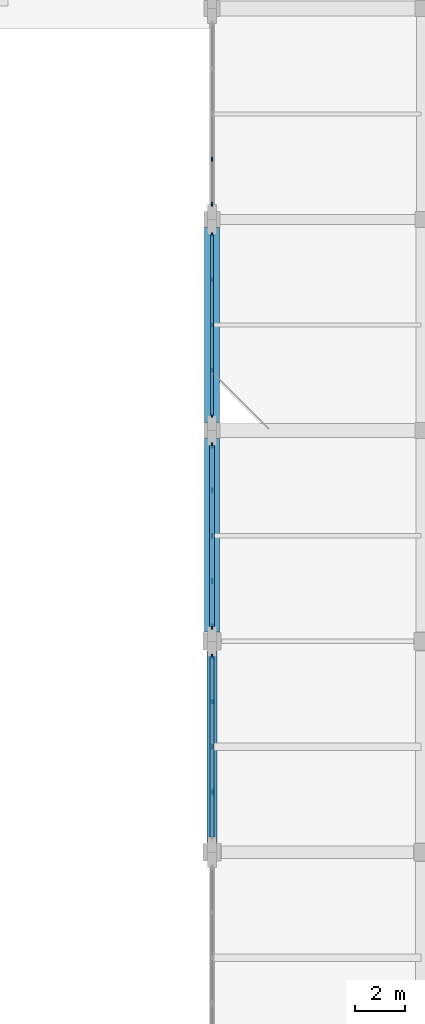
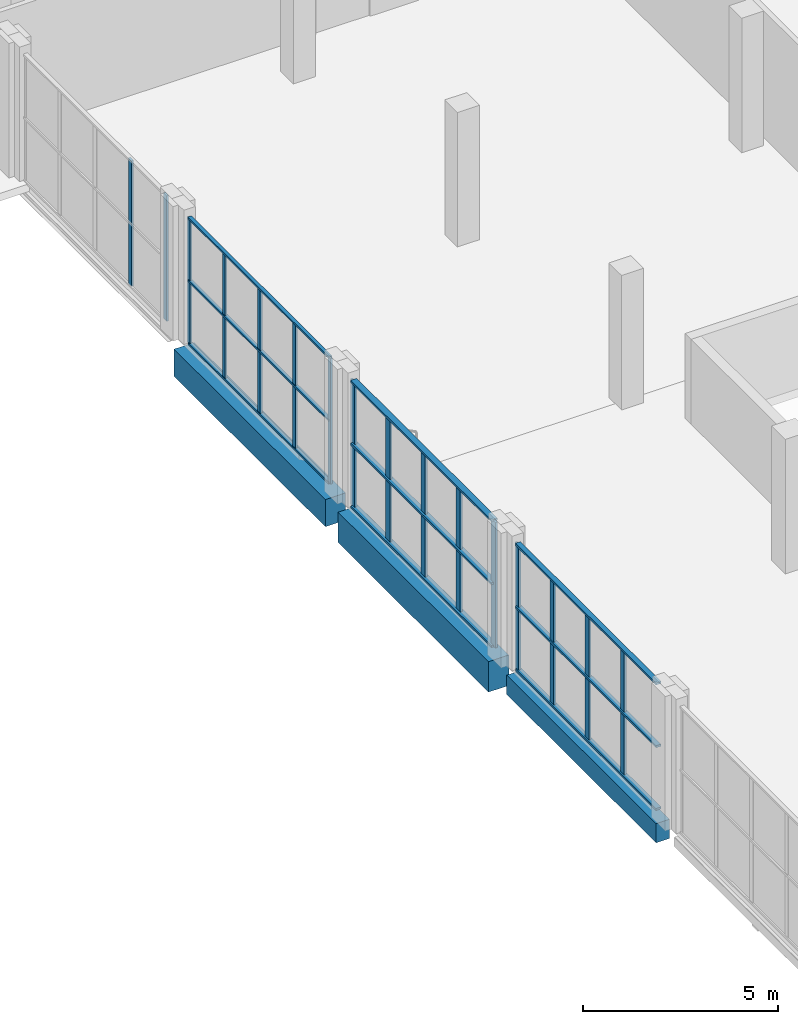
# One storey, part 30 of 59: 25 members, 3 beams, 4 elements without a shape of their own.
"""IFC4 building model written with IfcOpenShell, lengths in metres."""

from ifc_helpers import new_model, si_unit, derived_unit, direction, frame, origin, origin_2d, place, context, subcontext, project, spatial, rectangle, extrude, material, material_profile, profile_set, type_object, element, aggregate, save


model = new_model("IFC4")

# Units and contexts
model_context = context("Model", 3, precision=1e-05, world=origin(), true_north=direction((0.0, 1.0)))
body_context = subcontext(model_context, "Body", "Model", "MODEL_VIEW")
ifc_project = project(units=[si_unit("LENGTHUNIT", "METRE"), si_unit("AREAUNIT", "SQUARE_METRE"), si_unit("VOLUMEUNIT", "CUBIC_METRE"), si_unit("PLANEANGLEUNIT", "RADIAN"), si_unit("MASSUNIT", "GRAM", prefix="KILO"), derived_unit("THERMALTRANSMITTANCEUNIT", [(si_unit("POWERUNIT", "WATT"), 1), (si_unit("LENGTHUNIT", "METRE"), -2), (si_unit("THERMODYNAMICTEMPERATUREUNIT", "KELVIN"), -1)])], contexts=[model_context])

# Site, building, storey
site_placement = place(None, origin())
site = spatial("IfcSite", under=ifc_project, at=site_placement, CompositionType="ELEMENT")
building_placement = place(site_placement, origin())
building = spatial("IfcBuilding", under=site, at=building_placement, Name="Barrovel Congress Hotel", CompositionType="ELEMENT")
storey_placement = place(building_placement, frame((0.0, 0.0, 9.89990234375)))
storey = spatial("IfcBuildingStorey", under=building, at=storey_placement, Name="L02", CompositionType="ELEMENT", Elevation=9.89990234375)

# Beams
ifc_material_1 = material(Name="Concrete C40", Category="concrete")
ifc_material_profile_1 = material_profile(ifc_material_1, rectangle(XDim=0.39990234375, YDim=0.60009765625, at=origin_2d()), Name="RC400x600")
ifc_profile_set_1 = profile_set([ifc_material_profile_1], Name="Concrete C40")
beam_type_1 = type_object("IfcBeamType", Name="BM-RC400x600", PredefinedType="BEAM", material=ifc_profile_set_1)
beam_1_placement = place(storey_placement, frame((126.0, 63.375, -0.559814453125), z_axis=(0.0, 1.0, 0.0), x_axis=(-1.0, 0.0, 0.0)))
element("IfcBeam", 1, at=beam_1_placement, inside=storey, type_object=beam_type_1, Name="BMY:L02:126.0:63.0-71.4", PredefinedType="BEAM", context=body_context, shape_type="SweptSolid", body=[
    extrude(rectangle(XDim=0.39990234375, YDim=0.60009765625, at=origin_2d()), origin(), (0.0, 0.0, 1.0), 7.64990234375),
])
ifc_material_profile_2 = material_profile(ifc_material_1, rectangle(XDim=0.60009765625, YDim=0.85009765625, at=origin_2d()), Name="RC600x850")
ifc_profile_set_2 = profile_set([ifc_material_profile_2], Name="Concrete C40")
beam_type_2 = type_object("IfcBeamType", Name="BM-RC600x850", PredefinedType="BEAM", material=ifc_profile_set_2)
beam_2_placement = place(storey_placement, frame((126.0, 80.125, -0.684814453125), z_axis=(0.0, 1.0, 0.0), x_axis=(-1.0, 0.0, 0.0)))
element("IfcBeam", 2, at=beam_2_placement, inside=storey, type_object=beam_type_2, Name="BMY:L02:126.0:79.8-88.2", PredefinedType="BEAM", context=body_context, shape_type="SweptSolid", body=[
    extrude(rectangle(XDim=0.60009765625, YDim=0.85009765625, at=origin_2d()), origin(), (0.0, 0.0, 1.0), 7.75),
])
ifc_material_profile_3 = material_profile(ifc_material_1, rectangle(XDim=0.60009765625, YDim=0.949951171875, at=origin_2d()), Name="RC600x950")
ifc_profile_set_3 = profile_set([ifc_material_profile_3], Name="Concrete C40")
beam_type_3 = type_object("IfcBeamType", Name="BM-RC600x950", PredefinedType="BEAM", material=ifc_profile_set_3)
beam_3_placement = place(storey_placement, frame((126.0, 71.77490234375, -0.73486328125), z_axis=(0.0, 1.0, 0.0), x_axis=(-1.0, 0.0, 0.0)))
element("IfcBeam", 3, at=beam_3_placement, inside=storey, type_object=beam_type_3, Name="BMY:L02:126.0:71.4-79.8", PredefinedType="BEAM", context=body_context, shape_type="SweptSolid", body=[
    extrude(rectangle(XDim=0.60009765625, YDim=0.949951171875, at=origin_2d()), origin(), (0.0, 0.0, 1.0), 7.7001953125),
])

# Curtain wall, members
ifc_material_2 = material(Name="Anodised Aluminium Alloy 6063-T6", Category="aluminium")
curtain_wall_type = type_object("IfcCurtainWallType", Name="CW-ST-7200x3600", PredefinedType="USERDEFINED", material=ifc_material_2)
curtain_wall_1_placement = place(storey_placement, origin())
curtain_wall_1 = element("IfcCurtainWall", 4, at=curtain_wall_1_placement, inside=storey, type_object=curtain_wall_type, Name="CW:L02:CE:79.8", ObjectType="STICK CURTAIN WALL", PredefinedType="USERDEFINED")
ifc_material_profile_4 = material_profile(ifc_material_2, rectangle(XDim=0.06005859375, YDim=0.139892578125, at=origin_2d()), Name="AL-M60x140")
ifc_profile_set_4 = profile_set([ifc_material_profile_4], Name="Anodised Aluminium Alloy 6063-T6")
member_type_1 = type_object("IfcMemberType", Name="CWM-AL-M60x140", PredefinedType="MULLION", material=ifc_profile_set_4)
member_1_placement = place(storey_placement, frame((126.0, 87.60009765625, 0.0), z_axis=(0.0, 0.0, 1.0), x_axis=(1.0, 0.0, 0.0)))
member_1 = element("IfcMember", 5, at=member_1_placement, type_object=member_type_1, Name="CW:L02:CE:79.8:M0", PredefinedType="MULLION", context=body_context, shape_type="SweptSolid", body=[
    extrude(rectangle(XDim=0.06005859375, YDim=0.139892578125, at=origin_2d()), origin(), (0.0, 0.0, 1.0), 3.920166015625),
])
member_2_placement = place(storey_placement, frame((126.0, 85.800048828125, 0.0), z_axis=(0.0, 0.0, 1.0), x_axis=(1.0, 0.0, 0.0)))
member_2 = element("IfcMember", 6, at=member_2_placement, type_object=member_type_1, Name="CW:L02:CE:79.8:M1", PredefinedType="MULLION", context=body_context, shape_type="SweptSolid", body=[
    extrude(rectangle(XDim=0.06005859375, YDim=0.139892578125, at=origin_2d()), origin(), (0.0, 0.0, 1.0), 3.920166015625),
])
member_3_placement = place(storey_placement, frame((126.0, 84.0, 0.0), z_axis=(0.0, 0.0, 1.0), x_axis=(1.0, 0.0, 0.0)))
member_3 = element("IfcMember", 7, at=member_3_placement, type_object=member_type_1, Name="CW:L02:CE:79.8:M2", PredefinedType="MULLION", context=body_context, shape_type="SweptSolid", body=[
    extrude(rectangle(XDim=0.06005859375, YDim=0.139892578125, at=origin_2d()), origin(), (0.0, 0.0, 1.0), 3.920166015625),
])
member_4_placement = place(storey_placement, frame((126.0, 82.199951171875, 0.0), z_axis=(0.0, 0.0, 1.0), x_axis=(1.0, 0.0, 0.0)))
member_4 = element("IfcMember", 8, at=member_4_placement, type_object=member_type_1, Name="CW:L02:CE:79.8:M3", PredefinedType="MULLION", context=body_context, shape_type="SweptSolid", body=[
    extrude(rectangle(XDim=0.06005859375, YDim=0.139892578125, at=origin_2d()), origin(), (0.0, 0.0, 1.0), 3.920166015625),
])
member_5_placement = place(storey_placement, frame((126.0, 80.39990234375, 0.0), z_axis=(0.0, 0.0, 1.0), x_axis=(1.0, 0.0, 0.0)))
member_5 = element("IfcMember", 9, at=member_5_placement, type_object=member_type_1, Name="CW:L02:CE:79.8:M4", PredefinedType="MULLION", context=body_context, shape_type="SweptSolid", body=[
    extrude(rectangle(XDim=0.06005859375, YDim=0.139892578125, at=origin_2d()), origin(), (0.0, 0.0, 1.0), 3.920166015625),
])

curtain_wall_2_placement = place(storey_placement, origin())
curtain_wall_2 = element("IfcCurtainWall", 10, at=curtain_wall_2_placement, inside=storey, type_object=curtain_wall_type, Name="CW:L02:CE:88.2", ObjectType="STICK CURTAIN WALL", PredefinedType="USERDEFINED")
ifc_material_profile_5 = material_profile(ifc_material_2, rectangle(XDim=0.06005859375, YDim=0.1650390625, at=origin_2d()), Name="AL-M60x165")
ifc_profile_set_5 = profile_set([ifc_material_profile_5], Name="Anodised Aluminium Alloy 6063-T6")
member_type_2 = type_object("IfcMemberType", Name="CWM-AL-M60x165", PredefinedType="MULLION", material=ifc_profile_set_5)
member_6_placement = place(storey_placement, frame((126.0, 90.60009765625, 0.0), z_axis=(0.0, 0.0, 1.0), x_axis=(1.0, 0.0, 0.0)))
member_6 = element("IfcMember", 11, at=member_6_placement, type_object=member_type_2, Name="CW:L02:CE:88.2:M3", PredefinedType="MULLION", context=body_context, shape_type="SweptSolid", body=[
    extrude(rectangle(XDim=0.06005859375, YDim=0.1650390625, at=origin_2d()), origin(), (0.0, 0.0, 1.0), 3.920166015625),
])
member_7_placement = place(storey_placement, frame((126.0, 88.800048828125, 0.0), z_axis=(0.0, 0.0, 1.0), x_axis=(1.0, 0.0, 0.0)))
member_7 = element("IfcMember", 12, at=member_7_placement, type_object=member_type_2, Name="CW:L02:CE:88.2:M4", PredefinedType="MULLION", context=body_context, shape_type="SweptSolid", body=[
    extrude(rectangle(XDim=0.06005859375, YDim=0.1650390625, at=origin_2d()), origin(), (0.0, 0.0, 1.0), 3.920166015625),
])
aggregate(curtain_wall_2, [member_6, member_7])

curtain_wall_3_placement = place(storey_placement, origin())
curtain_wall_3 = element("IfcCurtainWall", 13, at=curtain_wall_3_placement, inside=storey, type_object=curtain_wall_type, Name="CW:L02:CE:63.0", ObjectType="STICK CURTAIN WALL", PredefinedType="USERDEFINED")
ifc_material_profile_6 = material_profile(ifc_material_2, rectangle(XDim=0.06494140625, YDim=0.18994140625, at=origin_2d()), Name="AL-M65x190")
ifc_profile_set_6 = profile_set([ifc_material_profile_6], Name="Anodised Aluminium Alloy 6063-T6")
member_type_3 = type_object("IfcMemberType", Name="CWM-AL-M65x190", PredefinedType="MULLION", material=ifc_profile_set_6)
member_8_placement = place(storey_placement, frame((126.0, 70.800048828125, 0.0), z_axis=(0.0, 0.0, 1.0), x_axis=(1.0, 0.0, 0.0)))
member_8 = element("IfcMember", 14, at=member_8_placement, type_object=member_type_3, Name="CW:L02:CE:63.0:M0", PredefinedType="MULLION", context=body_context, shape_type="SweptSolid", body=[
    extrude(rectangle(XDim=0.06494140625, YDim=0.18994140625, at=origin_2d()), origin(), (0.0, 0.0, 1.0), 3.920166015625),
])
member_9_placement = place(storey_placement, frame((126.0, 69.0, 0.0), z_axis=(0.0, 0.0, 1.0), x_axis=(1.0, 0.0, 0.0)))
member_9 = element("IfcMember", 15, at=member_9_placement, type_object=member_type_3, Name="CW:L02:CE:63.0:M1", PredefinedType="MULLION", context=body_context, shape_type="SweptSolid", body=[
    extrude(rectangle(XDim=0.06494140625, YDim=0.18994140625, at=origin_2d()), origin(), (0.0, 0.0, 1.0), 3.920166015625),
])
member_10_placement = place(storey_placement, frame((126.0, 67.199951171875, 0.0), z_axis=(0.0, 0.0, 1.0), x_axis=(1.0, 0.0, 0.0)))
member_10 = element("IfcMember", 16, at=member_10_placement, type_object=member_type_3, Name="CW:L02:CE:63.0:M2", PredefinedType="MULLION", context=body_context, shape_type="SweptSolid", body=[
    extrude(rectangle(XDim=0.06494140625, YDim=0.18994140625, at=origin_2d()), origin(), (0.0, 0.0, 1.0), 3.920166015625),
])
member_11_placement = place(storey_placement, frame((126.0, 65.39990234375, 0.0), z_axis=(0.0, 0.0, 1.0), x_axis=(1.0, 0.0, 0.0)))
member_11 = element("IfcMember", 17, at=member_11_placement, type_object=member_type_3, Name="CW:L02:CE:63.0:M3", PredefinedType="MULLION", context=body_context, shape_type="SweptSolid", body=[
    extrude(rectangle(XDim=0.06494140625, YDim=0.18994140625, at=origin_2d()), origin(), (0.0, 0.0, 1.0), 3.920166015625),
])

curtain_wall_4_placement = place(storey_placement, origin())
curtain_wall_4 = element("IfcCurtainWall", 18, at=curtain_wall_4_placement, inside=storey, type_object=curtain_wall_type, Name="CW:L02:CE:71.4", ObjectType="STICK CURTAIN WALL", PredefinedType="USERDEFINED")
ifc_material_profile_7 = material_profile(ifc_material_2, rectangle(XDim=0.06494140625, YDim=0.219970703125, at=origin_2d()), Name="AL-M65x220")
ifc_profile_set_7 = profile_set([ifc_material_profile_7], Name="Anodised Aluminium Alloy 6063-T6")
member_type_4 = type_object("IfcMemberType", Name="CWM-AL-M65x220", PredefinedType="MULLION", material=ifc_profile_set_7)
member_12_placement = place(storey_placement, frame((126.0, 79.199951171875, 0.0), z_axis=(0.0, 0.0, 1.0), x_axis=(1.0, 0.0, 0.0)))
member_12 = element("IfcMember", 19, at=member_12_placement, type_object=member_type_4, Name="CW:L02:CE:71.4:M0", PredefinedType="MULLION", context=body_context, shape_type="SweptSolid", body=[
    extrude(rectangle(XDim=0.06494140625, YDim=0.219970703125, at=origin_2d()), origin(), (0.0, 0.0, 1.0), 3.920166015625),
])
member_13_placement = place(storey_placement, frame((126.0, 77.39990234375, 0.0), z_axis=(0.0, 0.0, 1.0), x_axis=(1.0, 0.0, 0.0)))
member_13 = element("IfcMember", 20, at=member_13_placement, type_object=member_type_4, Name="CW:L02:CE:71.4:M1", PredefinedType="MULLION", context=body_context, shape_type="SweptSolid", body=[
    extrude(rectangle(XDim=0.06494140625, YDim=0.219970703125, at=origin_2d()), origin(), (0.0, 0.0, 1.0), 3.920166015625),
])
member_14_placement = place(storey_placement, frame((126.0, 75.60009765625, 0.0), z_axis=(0.0, 0.0, 1.0), x_axis=(1.0, 0.0, 0.0)))
member_14 = element("IfcMember", 21, at=member_14_placement, type_object=member_type_4, Name="CW:L02:CE:71.4:M2", PredefinedType="MULLION", context=body_context, shape_type="SweptSolid", body=[
    extrude(rectangle(XDim=0.06494140625, YDim=0.219970703125, at=origin_2d()), origin(), (0.0, 0.0, 1.0), 3.920166015625),
])
member_15_placement = place(storey_placement, frame((126.0, 73.800048828125, 0.0), z_axis=(0.0, 0.0, 1.0), x_axis=(1.0, 0.0, 0.0)))
member_15 = element("IfcMember", 22, at=member_15_placement, type_object=member_type_4, Name="CW:L02:CE:71.4:M3", PredefinedType="MULLION", context=body_context, shape_type="SweptSolid", body=[
    extrude(rectangle(XDim=0.06494140625, YDim=0.219970703125, at=origin_2d()), origin(), (0.0, 0.0, 1.0), 3.920166015625),
])
member_16_placement = place(storey_placement, frame((126.0, 72.0, 0.0), z_axis=(0.0, 0.0, 1.0), x_axis=(1.0, 0.0, 0.0)))
member_16 = element("IfcMember", 23, at=member_16_placement, type_object=member_type_4, Name="CW:L02:CE:71.4:M4", PredefinedType="MULLION", context=body_context, shape_type="SweptSolid", body=[
    extrude(rectangle(XDim=0.06494140625, YDim=0.219970703125, at=origin_2d()), origin(), (0.0, 0.0, 1.0), 3.920166015625),
])

# Member
ifc_material_profile_8 = material_profile(ifc_material_2, rectangle(XDim=0.10498046875, YDim=0.06005859375, at=origin_2d()), Name="AL-T60x105")
ifc_profile_set_8 = profile_set([ifc_material_profile_8], Name="Anodised Aluminium Alloy 6063-T6")
member_type_5 = type_object("IfcMemberType", Name="CWT-AL-T60x105", PredefinedType="USERDEFINED", material=ifc_profile_set_8)
member_17_placement = place(storey_placement, frame((126.0, 87.60009765625, 0.0), z_axis=(0.0, -1.0, 0.0), x_axis=(1.0, 0.0, 0.0)))
member_17 = element("IfcMember", 24, at=member_17_placement, type_object=member_type_5, Name="CW:L02:CE:79.8:T0", ObjectType="TRANSOM", PredefinedType="USERDEFINED", context=body_context, shape_type="SweptSolid", body=[
    extrude(rectangle(XDim=0.10498046875, YDim=0.06005859375, at=origin_2d()), origin(), (0.0, 0.0, 1.0), 7.2001953125),
])

member_18_placement = place(storey_placement, frame((126.0, 87.60009765625, 1.960205078125), z_axis=(0.0, -1.0, 0.0), x_axis=(1.0, 0.0, 0.0)))
member_18 = element("IfcMember", 25, at=member_18_placement, type_object=member_type_5, Name="CW:L02:CE:79.8:T1", ObjectType="TRANSOM", PredefinedType="USERDEFINED", context=body_context, shape_type="SweptSolid", body=[
    extrude(rectangle(XDim=0.10498046875, YDim=0.06005859375, at=origin_2d()), origin(), (0.0, 0.0, 1.0), 7.2001953125),
])

member_19_placement = place(storey_placement, frame((126.0, 87.60009765625, 3.920166015625), z_axis=(0.0, -1.0, 0.0), x_axis=(1.0, 0.0, 0.0)))
member_19 = element("IfcMember", 26, at=member_19_placement, type_object=member_type_5, Name="CW:L02:CE:79.8:T2", ObjectType="TRANSOM", PredefinedType="USERDEFINED", context=body_context, shape_type="SweptSolid", body=[
    extrude(rectangle(XDim=0.10498046875, YDim=0.06005859375, at=origin_2d()), origin(), (0.0, 0.0, 1.0), 7.2001953125),
])

aggregate(curtain_wall_1, [member_1, member_2, member_3, member_4, member_5, member_17, member_18, member_19])

ifc_material_profile_9 = material_profile(ifc_material_2, rectangle(XDim=0.14990234375, YDim=0.06494140625, at=origin_2d()), Name="AL-T65x150")
ifc_profile_set_9 = profile_set([ifc_material_profile_9], Name="Anodised Aluminium Alloy 6063-T6")
member_type_6 = type_object("IfcMemberType", Name="CWT-AL-T65x150", PredefinedType="USERDEFINED", material=ifc_profile_set_9)
member_20_placement = place(storey_placement, frame((126.0, 70.800048828125, 0.0), z_axis=(0.0, -1.0, 0.0), x_axis=(1.0, 0.0, 0.0)))
member_20 = element("IfcMember", 27, at=member_20_placement, type_object=member_type_6, Name="CW:L02:CE:63.0:T0", ObjectType="TRANSOM", PredefinedType="USERDEFINED", context=body_context, shape_type="SweptSolid", body=[
    extrude(rectangle(XDim=0.14990234375, YDim=0.06494140625, at=origin_2d()), origin(), (0.0, 0.0, 1.0), 7.199951171875),
])

member_21_placement = place(storey_placement, frame((126.0, 70.800048828125, 1.960205078125), z_axis=(0.0, -1.0, 0.0), x_axis=(1.0, 0.0, 0.0)))
member_21 = element("IfcMember", 28, at=member_21_placement, type_object=member_type_6, Name="CW:L02:CE:63.0:T1", ObjectType="TRANSOM", PredefinedType="USERDEFINED", context=body_context, shape_type="SweptSolid", body=[
    extrude(rectangle(XDim=0.14990234375, YDim=0.06494140625, at=origin_2d()), origin(), (0.0, 0.0, 1.0), 7.199951171875),
])

member_22_placement = place(storey_placement, frame((126.0, 70.800048828125, 3.920166015625), z_axis=(0.0, -1.0, 0.0), x_axis=(1.0, 0.0, 0.0)))
member_22 = element("IfcMember", 29, at=member_22_placement, type_object=member_type_6, Name="CW:L02:CE:63.0:T2", ObjectType="TRANSOM", PredefinedType="USERDEFINED", context=body_context, shape_type="SweptSolid", body=[
    extrude(rectangle(XDim=0.14990234375, YDim=0.06494140625, at=origin_2d()), origin(), (0.0, 0.0, 1.0), 7.199951171875),
])

aggregate(curtain_wall_3, [member_8, member_9, member_10, member_11, member_20, member_21, member_22])

ifc_material_profile_10 = material_profile(ifc_material_2, rectangle(XDim=0.179931640625, YDim=0.06494140625, at=origin_2d()), Name="AL-T65x180")
ifc_profile_set_10 = profile_set([ifc_material_profile_10], Name="Anodised Aluminium Alloy 6063-T6")
member_type_7 = type_object("IfcMemberType", Name="CWT-AL-T65x180", PredefinedType="USERDEFINED", material=ifc_profile_set_10)
member_23_placement = place(storey_placement, frame((126.0, 79.199951171875, 0.0), z_axis=(0.0, -1.0, 0.0), x_axis=(1.0, 0.0, 0.0)))
member_23 = element("IfcMember", 30, at=member_23_placement, type_object=member_type_7, Name="CW:L02:CE:71.4:T0", ObjectType="TRANSOM", PredefinedType="USERDEFINED", context=body_context, shape_type="SweptSolid", body=[
    extrude(rectangle(XDim=0.179931640625, YDim=0.06494140625, at=origin_2d()), origin(), (0.0, 0.0, 1.0), 7.199951171875),
])

member_24_placement = place(storey_placement, frame((126.0, 79.199951171875, 1.960205078125), z_axis=(0.0, -1.0, 0.0), x_axis=(1.0, 0.0, 0.0)))
member_24 = element("IfcMember", 31, at=member_24_placement, type_object=member_type_7, Name="CW:L02:CE:71.4:T1", ObjectType="TRANSOM", PredefinedType="USERDEFINED", context=body_context, shape_type="SweptSolid", body=[
    extrude(rectangle(XDim=0.179931640625, YDim=0.06494140625, at=origin_2d()), origin(), (0.0, 0.0, 1.0), 7.199951171875),
])

member_25_placement = place(storey_placement, frame((126.0, 79.199951171875, 3.920166015625), z_axis=(0.0, -1.0, 0.0), x_axis=(1.0, 0.0, 0.0)))
member_25 = element("IfcMember", 32, at=member_25_placement, type_object=member_type_7, Name="CW:L02:CE:71.4:T2", ObjectType="TRANSOM", PredefinedType="USERDEFINED", context=body_context, shape_type="SweptSolid", body=[
    extrude(rectangle(XDim=0.179931640625, YDim=0.06494140625, at=origin_2d()), origin(), (0.0, 0.0, 1.0), 7.199951171875),
])

aggregate(curtain_wall_4, [member_12, member_13, member_14, member_15, member_16, member_23, member_24, member_25])

save(model, "model.ifc")
